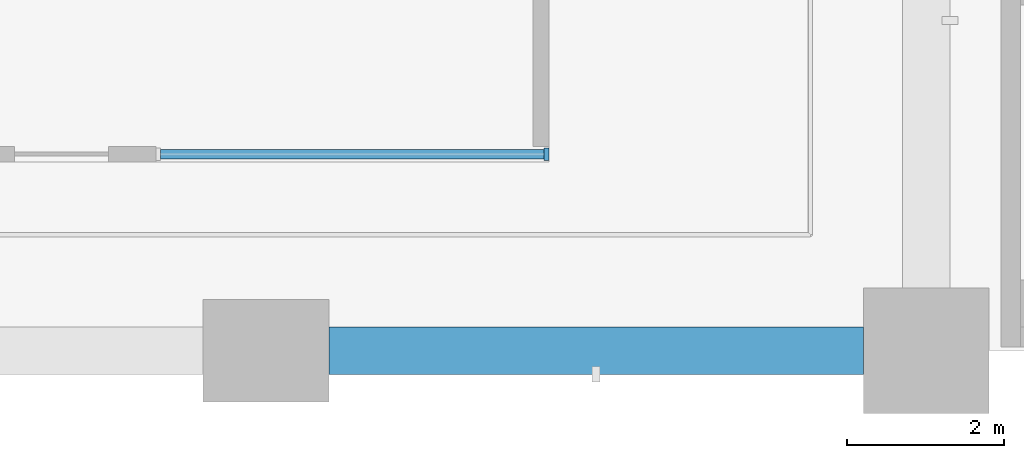
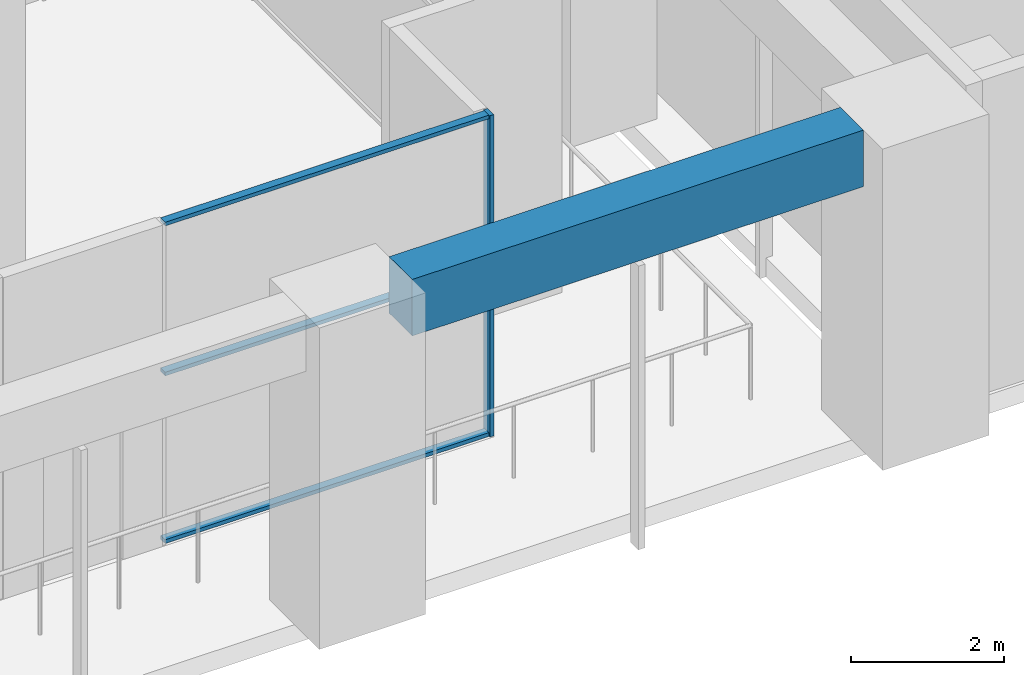
# One storey, part 7 of 32: 4 members, 1 beam, 1 element without a shape of its own.
"""IFC4 building model written with IfcOpenShell, lengths in metres."""

from ifc_helpers import new_model, si_unit, direction, frame, origin, origin_2d, place, context, subcontext, project, spatial, rectangle, extrude, material, material_profile, profile_set, type_object, element, aggregate, save


model = new_model("IFC4")

# Units and contexts
model_context = context("Model", 3, precision=1e-05, world=origin(), true_north=direction((0.0, 1.0)))
body_context = subcontext(model_context, "Body", "Model", "MODEL_VIEW")
ifc_project = project(units=[si_unit("LENGTHUNIT", "METRE"), si_unit("AREAUNIT", "SQUARE_METRE"), si_unit("VOLUMEUNIT", "CUBIC_METRE"), si_unit("PLANEANGLEUNIT", "RADIAN"), si_unit("MASSUNIT", "GRAM", prefix="KILO")], contexts=[model_context])

# Site, building, storey
site_placement = place(None, origin())
site = spatial("IfcSite", under=ifc_project, at=site_placement, CompositionType="ELEMENT")
building_placement = place(site_placement, origin())
building = spatial("IfcBuilding", under=site, at=building_placement, Name="Vermilion Gate Residences", CompositionType="ELEMENT")
storey_placement = place(building_placement, frame((0.0, 0.0, 19.800048828125)))
storey = spatial("IfcBuildingStorey", under=building, at=storey_placement, Name="L03", CompositionType="ELEMENT", Elevation=19.800048828125)

# Curtain wall, members
ifc_material_1 = material(Name="Aluminium and glass", Category="aluminium")
curtain_wall_type = type_object("IfcCurtainWallType", Name="AMENITY GLAZING CURTAIN WALL", PredefinedType="NOTDEFINED", material=ifc_material_1)
curtain_wall_placement = place(storey_placement, origin())
curtain_wall = element("IfcCurtainWall", 1, at=curtain_wall_placement, inside=storey, type_object=curtain_wall_type, Name="Amenity Glazing 62", PredefinedType="NOTDEFINED")
ifc_material_2 = material(Name="Aluminium", Category="aluminium")
ifc_material_profile_1 = material_profile(ifc_material_2, rectangle(XDim=0.159912109375, YDim=0.06005859375, at=origin_2d()), Name="MULLION 60 X 160")
ifc_profile_set_1 = profile_set([ifc_material_profile_1], Name="Aluminium")
member_type_1 = type_object("IfcMemberType", Name="AMENITY GLAZING MULLION 60 X 160", PredefinedType="MULLION", material=ifc_profile_set_1)
member_1_placement = place(storey_placement, frame((62.3701171875, 2.5, 0.0), z_axis=(0.0, 0.0, 1.0), x_axis=(0.0, 1.0, 0.0)))
member_1 = element("IfcMember", 2, at=member_1_placement, type_object=member_type_1, Name="ECW2 mullion 2", PredefinedType="MULLION", context=body_context, shape_type="SweptSolid", body=[
    extrude(rectangle(XDim=0.159912109375, YDim=0.06005859375, at=origin_2d()), origin(), (0.0, 0.0, 1.0), 5.119873046875),
])
ifc_material_3 = material(Name="Aluminium", Category="aluminium")
ifc_material_profile_2 = material_profile(ifc_material_3, rectangle(XDim=0.1201171875, YDim=0.06005859375, at=origin_2d()), Name="TRANSOM 60 X 120")
ifc_profile_set_2 = profile_set([ifc_material_profile_2], Name="Aluminium")
member_type_2 = type_object("IfcMemberType", Name="AMENITY GLAZING TRANSOM 60 X 120", PredefinedType="MULLION", material=ifc_profile_set_2)
member_2_placement = place(storey_placement, frame((57.4599609375, 2.5, 0.030029296875), z_axis=(1.0, 0.0, 0.0), x_axis=(0.0, 1.0, 0.0)))
member_2 = element("IfcMember", 3, at=member_2_placement, type_object=member_type_2, Name="ECW2 transom 1.1", PredefinedType="MULLION", context=body_context, shape_type="SweptSolid", body=[
    extrude(rectangle(XDim=0.1201171875, YDim=0.06005859375, at=origin_2d()), origin(), (0.0, 0.0, 1.0), 4.880126953125),
])
member_3_placement = place(storey_placement, frame((57.4599609375, 2.5, 2.699951171875), z_axis=(1.0, 0.0, 0.0), x_axis=(0.0, 1.0, 0.0)))
member_3 = element("IfcMember", 4, at=member_3_placement, type_object=member_type_2, Name="ECW2 transom 1.2", PredefinedType="MULLION", context=body_context, shape_type="SweptSolid", body=[
    extrude(rectangle(XDim=0.1201171875, YDim=0.06005859375, at=origin_2d()), origin(), (0.0, 0.0, 1.0), 4.880126953125),
])
member_4_placement = place(storey_placement, frame((57.4599609375, 2.5, 5.08984375), z_axis=(1.0, 0.0, 0.0), x_axis=(0.0, 1.0, 0.0)))
member_4 = element("IfcMember", 5, at=member_4_placement, type_object=member_type_2, Name="ECW2 transom 1.3", PredefinedType="MULLION", context=body_context, shape_type="SweptSolid", body=[
    extrude(rectangle(XDim=0.1201171875, YDim=0.06005859375, at=origin_2d()), origin(), (0.0, 0.0, 1.0), 4.880126953125),
])
aggregate(curtain_wall, [member_1, member_2, member_3, member_4])

# Beam
ifc_material_4 = material(Name="Concrete C60 red-oxide pigmented", Category="concrete")
ifc_material_profile_3 = material_profile(ifc_material_4, rectangle(XDim=0.60009765625, YDim=0.89990234375, at=origin_2d()), Name="RC-600x900")
ifc_profile_set_3 = profile_set([ifc_material_profile_3], Name="Concrete C60 red-oxide pigmented")
beam_type = type_object("IfcBeamType", Name="RC EDGE BEAM 600 X 900 C60", PredefinedType="BEAM", material=ifc_profile_set_3)
beam_placement = place(storey_placement, frame((59.60009765625, 0.0, 4.669921875), z_axis=(1.0, 0.0, 0.0), x_axis=(0.0, 1.0, 0.0)))
element("IfcBeam", 6, at=beam_placement, inside=storey, type_object=beam_type, Name="Edge beam L03 20", PredefinedType="BEAM", context=body_context, shape_type="SweptSolid", body=[
    extrude(rectangle(XDim=0.60009765625, YDim=0.89990234375, at=origin_2d()), origin(), (0.0, 0.0, 1.0), 6.7998046875),
])

save(model, "model.ifc")
